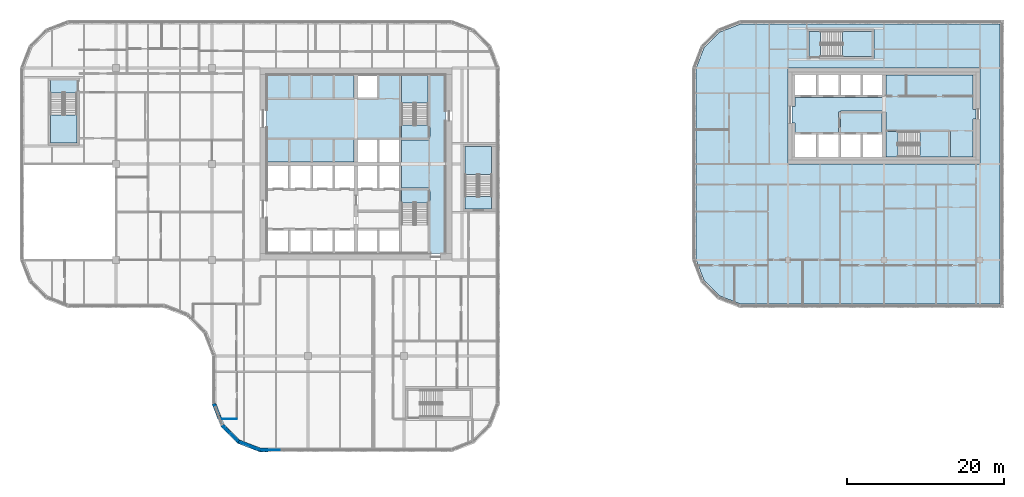
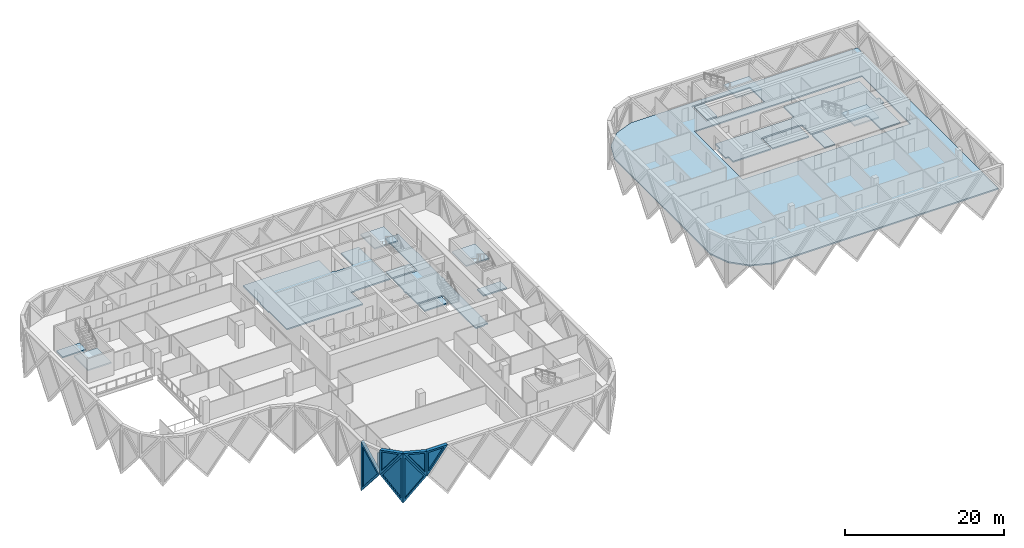
# One storey, part 3 of 24: 16 slabs, 7 walls, 6 plates, 6 openings, 5 elements without a shape of their own.
"""IFC4 building model written with IfcOpenShell, lengths in metres."""

from ifc_helpers import new_model, si_unit, direction, frame, frame_2d, origin, place, context, subcontext, project, spatial, polyline, rectangle, outline, extrude, faceted_brep, source, transform, mapped, material, layer, layer_set, type_object, element, fill, aggregate, save


model = new_model("IFC4")

# Units and contexts
model_context = context("Model", 3, precision=1e-05, world=origin(), true_north=direction((0.0, 1.0)))
body_context = subcontext(model_context, "Body", "Model", "MODEL_VIEW")
ifc_project = project(units=[si_unit("LENGTHUNIT", "METRE"), si_unit("AREAUNIT", "SQUARE_METRE"), si_unit("VOLUMEUNIT", "CUBIC_METRE"), si_unit("PLANEANGLEUNIT", "RADIAN"), si_unit("MASSUNIT", "GRAM", prefix="KILO")], contexts=[model_context])

# Site, building, storey
site_placement = place(None, origin())
site = spatial("IfcSite", under=ifc_project, at=site_placement, CompositionType="ELEMENT")
building_placement = place(site_placement, origin())
building = spatial("IfcBuilding", under=site, at=building_placement, Name="Tessera Gate Towers", CompositionType="ELEMENT")
storey_placement = place(building_placement, frame((0.0, 0.0, 102.800048828125)))
storey = spatial("IfcBuildingStorey", under=building, at=storey_placement, Name="L25", CompositionType="ELEMENT", Elevation=102.800048828125)

# Slabs
ifc_material_1 = material(Name="Concrete C35/45", Category="concrete")
ifc_layer_1 = layer(ifc_material_1, 0.199951171875)
ifc_layer_set_1 = layer_set([ifc_layer_1], Name="COMPOSITE FLOOR 200")
slab_type_1 = type_object("IfcSlabType", Name="COMPOSITE FLOOR 200", PredefinedType="FLOOR", material=ifc_layer_set_1)
slab_1_placement = place(storey_placement, frame((0.0, 0.0, -0.199951171875)))
element("IfcSlab", 1, at=slab_1_placement, inside=storey, type_object=slab_type_1, Name="T2-L25", PredefinedType="FLOOR", context=body_context, shape_type="SweptSolid", body=[
    extrude(outline(polyline([(85.89990234375, 24.4931640625), (86.926025390625, 21.8330078125), (88.93310546875, 19.826171875), (91.593017578125, 18.800048828125), (124.550048828125, 18.800048828125), (124.550048828125, 54.39990234375), (91.593017578125, 54.39990234375), (88.93310546875, 53.373779296875), (86.926025390625, 51.366943359375), (85.89990234375, 48.706787109375), (85.89990234375, 24.4931640625)]), holes=[polyline([(97.60009765625, 36.60009765625), (97.60009765625, 48.800048828125), (122.0, 48.800048828125), (122.0, 36.60009765625), (97.60009765625, 36.60009765625)]), polyline([(100.0, 50.0), (100.0, 53.699951171875), (108.5, 53.699951171875), (108.5, 50.0), (100.0, 50.0)])]), origin(), (0.0, 0.0, 1.0), 0.199951171875),
])
ifc_material_2 = material(Name="Concrete C35/45", Category="concrete")
ifc_layer_2 = layer(ifc_material_2, 0.199951171875)
ifc_layer_set_2 = layer_set([ifc_layer_2], Name="CORE FLOOR SLAB 200")
slab_type_2 = type_object("IfcSlabType", Name="CORE FLOOR SLAB 200", PredefinedType="FLOOR", material=ifc_layer_set_2)
slab_2_placement = place(storey_placement, frame((0.0, 0.0, -0.199951171875)))
element("IfcSlab", 2, at=slab_2_placement, inside=storey, type_object=slab_type_2, Name="L25 core floor slab", PredefinedType="FLOOR", context=body_context, shape_type="SweptSolid", body=[
    extrude(outline(polyline([(31.39990234375, 47.89990234375), (31.39990234375, 43.39990234375), (31.300048828125, 43.39990234375), (31.300048828125, 41.300048828125), (31.39990234375, 41.300048828125), (31.39990234375, 36.85009765625), (42.449951171875, 36.85009765625), (42.449951171875, 39.800048828125), (42.949951171875, 39.800048828125), (42.949951171875, 39.925048828125), (48.22509765625, 39.925048828125), (48.22509765625, 47.89990234375), (45.64990234375, 47.89990234375), (45.64990234375, 44.89990234375), (45.39990234375, 44.89990234375), (45.39990234375, 44.77490234375), (42.949951171875, 44.77490234375), (42.949951171875, 44.89990234375), (42.449951171875, 44.89990234375), (42.449951171875, 47.89990234375), (31.39990234375, 47.89990234375)])), origin(), (0.0, 0.0, 1.0), 0.199951171875),
])
slab_3_placement = place(storey_placement, frame((0.0, 0.0, -0.199951171875)))
element("IfcSlab", 3, at=slab_3_placement, inside=storey, type_object=slab_type_2, Name="L25 core floor slab", PredefinedType="FLOOR", context=body_context, shape_type="SweptSolid", body=[
    extrude(outline(polyline([(52.199951171875, 25.199951171875), (53.39990234375, 25.199951171875), (53.39990234375, 25.300048828125), (54.0, 25.300048828125), (54.0, 36.320068359375), (54.10009765625, 36.320068359375), (54.10009765625, 36.8798828125), (54.0, 36.8798828125), (54.0, 42.10009765625), (54.10009765625, 42.10009765625), (54.10009765625, 43.300048828125), (54.0, 43.300048828125), (54.0, 47.89990234375), (52.125, 47.89990234375), (52.125, 39.925048828125), (52.0, 39.925048828125), (52.0, 39.675048828125), (48.47509765625, 39.675048828125), (48.47509765625, 36.85009765625), (48.35009765625, 36.85009765625), (48.35009765625, 36.35009765625), (48.47509765625, 36.35009765625), (48.47509765625, 33.52490234375), (52.0, 33.52490234375), (52.0, 33.27490234375), (52.125, 33.27490234375), (52.125, 25.300048828125), (52.199951171875, 25.300048828125), (52.199951171875, 25.199951171875)])), origin(), (0.0, 0.0, 1.0), 0.199951171875),
])
slab_4_placement = place(storey_placement, frame((0.0, 0.0, -0.199951171875)))
element("IfcSlab", 4, at=slab_4_placement, inside=storey, type_object=slab_type_2, Name="L25 core floor slab", PredefinedType="FLOOR", context=body_context, shape_type="SweptSolid", body=[
    extrude(outline(polyline([(51.875, 31.675048828125), (51.875, 33.27490234375), (48.47509765625, 33.27490234375), (48.47509765625, 31.675048828125), (51.875, 31.675048828125)])), origin(), (0.0, 0.0, 1.0), 0.199951171875),
])
slab_5_placement = place(storey_placement, frame((0.0, 0.0, -0.199951171875)))
element("IfcSlab", 5, at=slab_5_placement, inside=storey, type_object=slab_type_2, Name="L25 core floor slab", PredefinedType="FLOOR", context=body_context, shape_type="SweptSolid", body=[
    extrude(outline(polyline([(48.47509765625, 41.52490234375), (48.47509765625, 39.925048828125), (51.875, 39.925048828125), (51.875, 41.52490234375), (48.47509765625, 41.52490234375)])), origin(), (0.0, 0.0, 1.0), 0.199951171875),
])
slab_6_placement = place(storey_placement, frame((0.0, 0.0, -0.199951171875)))
element("IfcSlab", 6, at=slab_6_placement, inside=storey, type_object=slab_type_2, Name="L25 ST3 floor landing", PredefinedType="FLOOR", context=body_context, shape_type="SweptSolid", body=[
    extrude(outline(polyline([(3.85009765625, 47.25), (3.85009765625, 45.64990234375), (7.25, 45.64990234375), (7.25, 47.25), (3.85009765625, 47.25)])), origin(), (0.0, 0.0, 1.0), 0.199951171875),
])
slab_7_placement = place(storey_placement, frame((0.0, 0.0, -0.199951171875)))
element("IfcSlab", 7, at=slab_7_placement, inside=storey, type_object=slab_type_2, Name="L25 ST5 floor landing", PredefinedType="FLOOR", context=body_context, shape_type="SweptSolid", body=[
    extrude(outline(polyline([(59.949951171875, 30.85009765625), (59.949951171875, 32.449951171875), (56.550048828125, 32.449951171875), (56.550048828125, 30.85009765625), (59.949951171875, 30.85009765625)])), origin(), (0.0, 0.0, 1.0), 0.199951171875),
])
slab_8_placement = place(storey_placement, frame((0.0, 0.0, -0.199951171875)))
element("IfcSlab", 8, at=slab_8_placement, inside=storey, type_object=slab_type_2, Name="L25 core floor slab", PredefinedType="FLOOR", context=body_context, shape_type="SweptSolid", body=[
    extrude(outline(polyline([(109.550048828125, 45.199951171875), (109.550048828125, 45.074951171875), (98.5, 45.074951171875), (98.5, 43.89990234375), (98.10009765625, 43.89990234375), (98.10009765625, 41.800048828125), (98.5, 41.800048828125), (98.5, 40.625), (104.02490234375, 40.625), (104.02490234375, 43.199951171875), (104.27490234375, 43.199951171875), (104.27490234375, 43.324951171875), (109.550048828125, 43.324951171875), (109.550048828125, 43.199951171875), (110.050048828125, 43.199951171875), (110.050048828125, 40.949951171875), (118.10009765625, 40.949951171875), (118.10009765625, 40.699951171875), (118.22509765625, 40.699951171875), (118.22509765625, 37.5), (121.10009765625, 37.5), (121.10009765625, 42.35009765625), (121.5, 42.35009765625), (121.5, 43.550048828125), (121.10009765625, 43.550048828125), (121.10009765625, 47.89990234375), (110.050048828125, 47.89990234375), (110.050048828125, 45.199951171875), (109.550048828125, 45.199951171875)])), origin(), (0.0, 0.0, 1.0), 0.199951171875),
])
slab_9_placement = place(storey_placement, frame((0.0, 0.0, -0.199951171875)))
element("IfcSlab", 9, at=slab_9_placement, inside=storey, type_object=slab_type_2, Name="L25 core floor slab", PredefinedType="FLOOR", context=body_context, shape_type="SweptSolid", body=[
    extrude(outline(polyline([(109.550048828125, 43.074951171875), (104.27490234375, 43.074951171875), (104.27490234375, 40.625), (109.550048828125, 40.625), (109.550048828125, 43.074951171875)])), origin(), (0.0, 0.0, 1.0), 0.199951171875),
])
slab_10_placement = place(storey_placement, frame((0.0, 0.0, -0.199951171875)))
element("IfcSlab", 10, at=slab_10_placement, inside=storey, type_object=slab_type_2, Name="L25 core floor slab", PredefinedType="FLOOR", context=body_context, shape_type="SweptSolid", body=[
    extrude(outline(polyline([(111.550048828125, 37.5), (111.550048828125, 40.699951171875), (110.050048828125, 40.699951171875), (110.050048828125, 37.5), (111.550048828125, 37.5)])), origin(), (0.0, 0.0, 1.0), 0.199951171875),
])
slab_11_placement = place(storey_placement, frame((0.0, 0.0, -0.199951171875)))
element("IfcSlab", 11, at=slab_11_placement, inside=storey, type_object=slab_type_2, Name="L25 ST7 floor landing", PredefinedType="FLOOR", context=body_context, shape_type="SweptSolid", body=[
    extrude(outline(polyline([(100.25, 50.25), (101.75, 50.25), (101.75, 53.449951171875), (100.25, 53.449951171875), (100.25, 50.25)])), origin(), (0.0, 0.0, 1.0), 0.199951171875),
])

# Stair, slab
ifc_material_3 = material(Name="Concrete C40/50", Category="concrete")
stair_type_1 = type_object("IfcStairType", Name="EXIT STAIR ST2 1600", PredefinedType="HALF_TURN_STAIR", material=ifc_material_3)
stair_1_placement = place(storey_placement, origin())
stair_1 = element("IfcStair", 12, at=stair_1_placement, inside=storey, type_object=stair_type_1, Name="L25 Protected Exit Stair ST2", PredefinedType="HALF_TURN_STAIR")
ifc_material_4 = material(Name="Concrete C40/50", Category="concrete")
ifc_layer_3 = layer(ifc_material_4, 0.199951171875)
ifc_layer_set_3 = layer_set([ifc_layer_3], Name="EXIT STAIR LANDING 200")
slab_type_3 = type_object("IfcSlabType", Name="EXIT STAIR LANDING 200", PredefinedType="LANDING", material=ifc_layer_set_3)
slab_12_placement = place(storey_placement, frame((0.0, 0.0, 1.699951171875)))
slab_12 = element("IfcSlab", 13, at=slab_12_placement, type_object=slab_type_3, Name="ST2 landing 1", PredefinedType="LANDING", context=body_context, shape_type="SweptSolid", body=[
    extrude(outline(polyline([(51.875, 44.324951171875), (51.875, 47.89990234375), (48.47509765625, 47.89990234375), (48.47509765625, 44.324951171875), (51.875, 44.324951171875)])), origin(), (0.0, 0.0, 1.0), 0.199951171875),
])
aggregate(stair_1, [slab_12])

ifc_material_5 = material(Name="Concrete C40/50", Category="concrete")
stair_type_2 = type_object("IfcStairType", Name="EXIT STAIR ST3 1600", PredefinedType="HALF_TURN_STAIR", material=ifc_material_5)
stair_2_placement = place(storey_placement, origin())
stair_2 = element("IfcStair", 14, at=stair_2_placement, inside=storey, type_object=stair_type_2, Name="L25 West Exit Stair ST3", PredefinedType="HALF_TURN_STAIR")
slab_13_placement = place(storey_placement, frame((0.0, 0.0, 1.699951171875)))
slab_13 = element("IfcSlab", 15, at=slab_13_placement, type_object=slab_type_3, Name="ST3 landing 1", PredefinedType="LANDING", context=body_context, shape_type="SweptSolid", body=[
    extrude(outline(polyline([(3.85009765625, 42.85009765625), (3.85009765625, 39.25), (7.25, 39.25), (7.25, 42.85009765625), (3.85009765625, 42.85009765625)])), origin(), (0.0, 0.0, 1.0), 0.199951171875),
])
aggregate(stair_2, [slab_13])

ifc_material_6 = material(Name="Concrete C40/50", Category="concrete")
stair_type_3 = type_object("IfcStairType", Name="EXIT STAIR ST5 1600", PredefinedType="HALF_TURN_STAIR", material=ifc_material_6)
stair_3_placement = place(storey_placement, origin())
stair_3 = element("IfcStair", 16, at=stair_3_placement, inside=storey, type_object=stair_type_3, Name="L25 East Exit Stair ST5", PredefinedType="HALF_TURN_STAIR")
slab_14_placement = place(storey_placement, frame((0.0, 0.0, 1.699951171875)))
slab_14 = element("IfcSlab", 17, at=slab_14_placement, type_object=slab_type_3, Name="ST5 landing 1", PredefinedType="LANDING", context=body_context, shape_type="SweptSolid", body=[
    extrude(outline(polyline([(59.949951171875, 35.25), (59.949951171875, 38.85009765625), (56.550048828125, 38.85009765625), (56.550048828125, 35.25), (59.949951171875, 35.25)])), origin(), (0.0, 0.0, 1.0), 0.199951171875),
])
aggregate(stair_3, [slab_14])

ifc_material_7 = material(Name="Concrete C40/50", Category="concrete")
stair_type_4 = type_object("IfcStairType", Name="EXIT STAIR ST6 1500", PredefinedType="HALF_TURN_STAIR", material=ifc_material_7)
stair_4_placement = place(storey_placement, origin())
stair_4 = element("IfcStair", 18, at=stair_4_placement, inside=storey, type_object=stair_type_4, Name="L25 Protected Exit Stair ST6", PredefinedType="HALF_TURN_STAIR")
slab_15_placement = place(storey_placement, frame((0.0, 0.0, 1.699951171875)))
slab_15 = element("IfcSlab", 19, at=slab_15_placement, type_object=slab_type_3, Name="ST6 landing 1", PredefinedType="LANDING", context=body_context, shape_type="SweptSolid", body=[
    extrude(outline(polyline([(114.35009765625, 37.5), (117.97509765625, 37.5), (117.97509765625, 40.699951171875), (114.35009765625, 40.699951171875), (114.35009765625, 37.5)])), origin(), (0.0, 0.0, 1.0), 0.199951171875),
])
aggregate(stair_4, [slab_15])

ifc_material_8 = material(Name="Concrete C40/50", Category="concrete")
stair_type_5 = type_object("IfcStairType", Name="EXIT STAIR ST7 1500", PredefinedType="HALF_TURN_STAIR", material=ifc_material_8)
stair_5_placement = place(storey_placement, origin())
stair_5 = element("IfcStair", 20, at=stair_5_placement, inside=storey, type_object=stair_type_5, Name="L25 North Exit Stair ST7", PredefinedType="HALF_TURN_STAIR")
slab_16_placement = place(storey_placement, frame((0.0, 0.0, 1.699951171875)))
slab_16 = element("IfcSlab", 21, at=slab_16_placement, type_object=slab_type_3, Name="ST7 landing 1", PredefinedType="LANDING", context=body_context, shape_type="SweptSolid", body=[
    extrude(outline(polyline([(104.550048828125, 50.25), (108.25, 50.25), (108.25, 53.449951171875), (104.550048828125, 53.449951171875), (104.550048828125, 50.25)])), origin(), (0.0, 0.0, 1.0), 0.199951171875),
])
aggregate(stair_5, [slab_16])

# Wall
ifc_material_9 = material(Name="Glass", Category="glass")
ifc_layer_4 = layer(ifc_material_9, 0.10009765625)
ifc_layer_set_4 = layer_set([ifc_layer_4], Name="GLAZED PARTITION 100")
wall_type_1 = type_object("IfcWallType", Name="GLAZED PARTITION 100", PredefinedType="PARTITIONING", material=ifc_layer_set_4)
wall_1_placement = place(storey_placement, frame((25.668701171875, 4.199951171875, 0.0), z_axis=(0.0, 0.0, 1.0), x_axis=(1.0, 0.0, 0.0)))
element("IfcWall", 22, at=wall_1_placement, inside=storey, type_object=wall_type_1, Name="T1-L25-PW-003", PredefinedType="PARTITIONING", context=body_context, shape_type="SweptSolid", body=[
    extrude(rectangle(XDim=1.855224609375, YDim=0.10009765625, at=frame_2d((0.927734375, 0.0))), origin(), (0.0, 0.0, 1.0), 2.71484375),
])

# Wall, opening, plate
ifc_material_10 = material(Name="Precast concrete C60/75 white", Category="concrete")
ifc_layer_5 = layer(ifc_material_10, 0.5)
ifc_layer_set_5 = layer_set([ifc_layer_5], Name="TS3 corner tessera")
wall_type_2 = type_object("IfcWallType", Name="TS3 corner tessera", PredefinedType="SOLIDWALL", material=ifc_layer_set_5)
shared_shape_1 = source(origin(), body_context, "Body", "Brep", [
    faceted_brep([(0.046630859375, -0.25, 0.0), (2.9970703125, -0.25, 3.800048828125), (0.046630859375, -0.25, 7.60009765625), (0.0, -0.25, 7.541259765625), (0.0, -0.25, 0.058837890625), (0.09326171875, 0.25, 7.5400390625), (2.9443359375, 0.25, 3.8681640625), (2.9443359375, 0.25, 3.73193359375), (0.09326171875, 0.25, 0.06005859375), (2.9970703125, 0.00048828125, 3.800048828125), (0.046630859375, 0.0, 0.0), (0.046630859375, 0.0, 7.60009765625)], [[[0, 1, 2, 3, 4]], [[5, 6, 7, 8]], [[8, 7, 9, 1, 0, 10]], [[6, 5, 11, 2, 1, 9]], [[3, 2, 11]], [[10, 0, 4]], [[8, 10, 4, 3, 11, 5]], [[9, 7, 6]]]),
])
wall_2_placement = place(storey_placement, frame((24.63330078125, 6.18994140625, -3.800048828125), z_axis=(0.0, 0.0, 1.0), x_axis=(0.359901446078, -0.932990326376, 0.0)))
wall_2 = element("IfcWall", 23, at=wall_2_placement, inside=storey, type_object=wall_type_2, Name="Precast corner tessera T1 TS3-0574", PredefinedType="SOLIDWALL", context=body_context, shape_type="MappedRepresentation", body=[
    mapped(shared_shape_1, transform((0.0, 0.0, 0.0), scale=1.0)),
])
shared_shape_2 = source(origin(), body_context, "Body", "SweptSolid", [
    extrude(outline(polyline([(0.24658203125, 0.665283203125), (2.6806640625, 3.800048828125), (0.24658203125, 6.934814453125), (0.24658203125, 0.665283203125)])), frame((0.0, 0.260009765625, 0.0), z_axis=(0.0, -1.0, 0.0), x_axis=(1.0, 0.0, 0.0)), (0.0, 0.0, 1.0), 0.52001953125),
])
opening_1_placement = place(wall_2_placement, origin())
opening_1 = element("IfcOpeningElement", 24, at=opening_1_placement, cuts=wall_2, Name="Opening T1-PL2-0890", PredefinedType="OPENING", context=body_context, shape_type="MappedRepresentation", body=[
    mapped(shared_shape_2, transform((0.0, 0.0, 0.0), scale=1.0)),
])
ifc_material_11 = material(Name="Low-e laminated glass", Category="glass")
ifc_layer_6 = layer(ifc_material_11, 0.06005859375)
ifc_layer_set_6 = layer_set([ifc_layer_6], Name="PL2 rhombic pane")
plate_type_1 = type_object("IfcPlateType", Name="PL2 rhombic pane", PredefinedType="SHEET", material=ifc_layer_set_6)
shared_shape_3 = source(origin(), body_context, "Body", "SweptSolid", [
    extrude(outline(polyline([(0.24658203125, 0.665283203125), (2.6806640625, 3.800048828125), (0.24658203125, 6.934814453125), (0.24658203125, 0.665283203125)])), frame((0.0, 0.030029296875, 0.0), z_axis=(0.0, -1.0, 0.0), x_axis=(1.0, 0.0, 0.0)), (0.0, 0.0, 1.0), 0.06005859375),
])
plate_1_placement = place(opening_1_placement, origin())
plate_1 = element("IfcPlate", 25, at=plate_1_placement, inside=storey, type_object=plate_type_1, Name="Glass pane T1 PL2-0890", PredefinedType="SHEET", context=body_context, shape_type="MappedRepresentation", body=[
    mapped(shared_shape_3, transform((0.0, 0.0, 0.0), scale=1.0)),
])
fill(opening_1, plate_1)

shared_shape_4 = source(origin(), body_context, "Body", "Brep", [
    faceted_brep([(0.052978515625, -0.25, 0.0), (3.00341796875, -0.25, 3.800048828125), (0.052978515625, -0.25, 7.60009765625), (0.0, -0.25, 7.53173828125), (0.0, -0.25, 0.068359375), (0.10595703125, 0.25, 7.531982421875), (2.95703125, 0.25, 3.85986328125), (2.95703125, 0.25, 3.740234375), (0.10595703125, 0.25, 0.068115234375), (3.00341796875, 0.00048828125, 3.800048828125), (0.052978515625, 0.0, 0.0), (0.052978515625, 0.0, 7.60009765625)], [[[0, 1, 2, 3, 4]], [[5, 6, 7, 8]], [[8, 7, 9, 1, 0, 10]], [[6, 5, 11, 2, 1, 9]], [[3, 2, 11]], [[10, 0, 4]], [[8, 10, 4, 3, 11, 5]], [[9, 7, 6]]]),
])
wall_3_placement = place(storey_placement, frame((27.744384765625, 1.3310546875, -3.800048828125), z_axis=(0.0, 0.0, 1.0), x_axis=(0.932970071518, -0.359953949349, 0.0)))
wall_3 = element("IfcWall", 26, at=wall_3_placement, inside=storey, type_object=wall_type_2, Name="Precast corner tessera T1 TS3-0576", PredefinedType="SOLIDWALL", context=body_context, shape_type="MappedRepresentation", body=[
    mapped(shared_shape_4, transform((0.0, 0.0, 0.0), scale=1.0)),
])
shared_shape_5 = source(origin(), body_context, "Body", "SweptSolid", [
    extrude(outline(polyline([(0.2529296875, 0.665283203125), (2.68701171875, 3.800048828125), (0.2529296875, 6.934814453125), (0.2529296875, 0.665283203125)])), frame((0.0, 0.260009765625, 0.0), z_axis=(0.0, -1.0, 0.0), x_axis=(1.0, 0.0, 0.0)), (0.0, 0.0, 1.0), 0.52001953125),
])
opening_2_placement = place(wall_3_placement, origin())
opening_2 = element("IfcOpeningElement", 27, at=opening_2_placement, cuts=wall_3, Name="Opening T1-PL2-0892", PredefinedType="OPENING", context=body_context, shape_type="MappedRepresentation", body=[
    mapped(shared_shape_5, transform((0.0, 0.0, 0.0), scale=1.0)),
])
shared_shape_6 = source(origin(), body_context, "Body", "SweptSolid", [
    extrude(outline(polyline([(0.2529296875, 0.665283203125), (2.68701171875, 3.800048828125), (0.2529296875, 6.934814453125), (0.2529296875, 0.665283203125)])), frame((0.0, 0.030029296875, 0.0), z_axis=(0.0, -1.0, 0.0), x_axis=(1.0, 0.0, 0.0)), (0.0, 0.0, 1.0), 0.06005859375),
])
plate_2_placement = place(opening_2_placement, origin())
plate_2 = element("IfcPlate", 28, at=plate_2_placement, inside=storey, type_object=plate_type_1, Name="Glass pane T1 PL2-0892", PredefinedType="SHEET", context=body_context, shape_type="MappedRepresentation", body=[
    mapped(shared_shape_6, transform((0.0, 0.0, 0.0), scale=1.0)),
])
fill(opening_2, plate_2)

shared_shape_7 = source(origin(), body_context, "Body", "Brep", [
    faceted_brep([(2.944091796875, -0.25, 0.0), (2.9970703125, -0.25, 0.068115234375), (2.9970703125, -0.25, 7.531982421875), (2.944091796875, -0.25, 7.60009765625), (0.0, -0.25, 3.800048828125), (0.052978515625, 0.25, 3.868408203125), (2.89111328125, 0.25, 7.531982421875), (2.89111328125, 0.25, 0.068115234375), (0.052978515625, 0.25, 3.731689453125), (2.944091796875, 0.000244140625, 0.0), (2.944091796875, 0.000244140625, 7.60009765625), (0.0, 0.0, 3.800048828125)], [[[0, 1, 2, 3, 4]], [[5, 6, 7, 8]], [[1, 0, 9]], [[10, 3, 2]], [[6, 5, 11, 4, 3, 10]], [[8, 7, 9, 0, 4, 11]], [[8, 11, 5]], [[1, 9, 7, 6, 10, 2]]]),
])
wall_4_placement = place(storey_placement, frame((25.7119140625, 3.393798828125, -3.800048828125), z_axis=(0.0, 0.0, 1.0), x_axis=(0.707066050402, -0.707147509625, 0.0)))
wall_4 = element("IfcWall", 29, at=wall_4_placement, inside=storey, type_object=wall_type_2, Name="Precast corner tessera T1 TS3-0575", PredefinedType="SOLIDWALL", context=body_context, shape_type="MappedRepresentation", body=[
    mapped(shared_shape_7, transform((0.0, 0.0, 0.0), scale=1.0)),
])
shared_shape_8 = source(origin(), body_context, "Body", "SweptSolid", [
    extrude(outline(polyline([(2.744140625, 6.93359375), (0.316162109375, 3.800048828125), (2.744140625, 0.666259765625), (2.744140625, 6.93359375)])), frame((0.0, 0.260009765625, 0.0), z_axis=(0.0, -1.0, 0.0), x_axis=(1.0, 0.0, 0.0)), (0.0, 0.0, 1.0), 0.52001953125),
])
opening_3_placement = place(wall_4_placement, origin())
opening_3 = element("IfcOpeningElement", 30, at=opening_3_placement, cuts=wall_4, Name="Opening T1-PL2-0891", PredefinedType="OPENING", context=body_context, shape_type="MappedRepresentation", body=[
    mapped(shared_shape_8, transform((0.0, 0.0, 0.0), scale=1.0)),
])
shared_shape_9 = source(origin(), body_context, "Body", "SweptSolid", [
    extrude(outline(polyline([(2.744140625, 6.93359375), (0.316162109375, 3.800048828125), (2.744140625, 0.666259765625), (2.744140625, 6.93359375)])), frame((0.0, 0.030029296875, 0.0), z_axis=(0.0, -1.0, 0.0), x_axis=(1.0, 0.0, 0.0)), (0.0, 0.0, 1.0), 0.06005859375),
])
plate_3_placement = place(opening_3_placement, origin())
plate_3 = element("IfcPlate", 31, at=plate_3_placement, inside=storey, type_object=plate_type_1, Name="Glass pane T1 PL2-0891", PredefinedType="SHEET", context=body_context, shape_type="MappedRepresentation", body=[
    mapped(shared_shape_9, transform((0.0, 0.0, 0.0), scale=1.0)),
])
fill(opening_3, plate_3)

shared_shape_10 = source(origin(), body_context, "Body", "Brep", [
    faceted_brep([(0.046630859375, -0.25, 0.0), (3.050048828125, -0.25, 3.800048828125), (0.0, -0.25, 3.800048828125), (0.0, -0.25, 0.06005859375), (0.09326171875, 0.25, 3.800048828125), (3.050048828125, 0.25, 3.800048828125), (0.09326171875, 0.25, 0.058837890625), (0.046630859375, 0.0, 0.0)], [[[0, 1, 2, 3]], [[4, 5, 6]], [[6, 5, 1, 0, 7]], [[5, 4, 2, 1]], [[7, 0, 3]], [[6, 7, 3, 2, 4]]]),
])
wall_5_placement = place(storey_placement, frame((30.5, 0.25, 0.0), z_axis=(0.0, 0.0, 1.0), x_axis=(1.0, 0.0, 0.0)))
wall_5 = element("IfcWall", 32, at=wall_5_placement, inside=storey, type_object=wall_type_2, Name="Precast corner tessera T1 TS3-0577", PredefinedType="SOLIDWALL", context=body_context, shape_type="MappedRepresentation", body=[
    mapped(shared_shape_10, transform((0.0, 0.0, 0.0), scale=1.0)),
])
shared_shape_11 = source(origin(), body_context, "Body", "SweptSolid", [
    extrude(outline(polyline([(0.24658203125, 0.65625), (2.533935546875, 3.550048828125), (0.24658203125, 3.550048828125), (0.24658203125, 0.65625)])), frame((0.0, 0.260009765625, 0.0), z_axis=(0.0, -1.0, 0.0), x_axis=(1.0, 0.0, 0.0)), (0.0, 0.0, 1.0), 0.52001953125),
])
opening_4_placement = place(wall_5_placement, origin())
opening_4 = element("IfcOpeningElement", 33, at=opening_4_placement, cuts=wall_5, Name="Opening T1-PL1-0235", PredefinedType="OPENING", context=body_context, shape_type="MappedRepresentation", body=[
    mapped(shared_shape_11, transform((0.0, 0.0, 0.0), scale=1.0)),
])
ifc_material_12 = material(Name="Low-e laminated glass", Category="glass")
ifc_layer_7 = layer(ifc_material_12, 0.06005859375)
ifc_layer_set_7 = layer_set([ifc_layer_7], Name="PL1 triangular pane")
plate_type_2 = type_object("IfcPlateType", Name="PL1 triangular pane", PredefinedType="SHEET", material=ifc_layer_set_7)
shared_shape_12 = source(origin(), body_context, "Body", "SweptSolid", [
    extrude(outline(polyline([(0.24658203125, 0.65625), (2.533935546875, 3.550048828125), (0.24658203125, 3.550048828125), (0.24658203125, 0.65625)])), frame((0.0, 0.030029296875, 0.0), z_axis=(0.0, -1.0, 0.0), x_axis=(1.0, 0.0, 0.0)), (0.0, 0.0, 1.0), 0.06005859375),
])
plate_4_placement = place(opening_4_placement, origin())
plate_4 = element("IfcPlate", 34, at=plate_4_placement, inside=storey, type_object=plate_type_2, Name="Glass pane T1 PL1-0235", PredefinedType="SHEET", context=body_context, shape_type="MappedRepresentation", body=[
    mapped(shared_shape_12, transform((0.0, 0.0, 0.0), scale=1.0)),
])
fill(opening_4, plate_4)

shared_shape_13 = source(origin(), body_context, "Body", "Brep", [
    faceted_brep([(2.950439453125, -0.25, 0.0), (2.9970703125, -0.25, 0.05908203125), (2.9970703125, -0.25, 3.800048828125), (0.0, -0.25, 3.800048828125), (0.052978515625, 0.25, 3.800048828125), (2.904052734375, 0.25, 3.800048828125), (2.904052734375, 0.25, 0.059814453125), (0.052978515625, 0.25, 3.73193359375), (2.950439453125, 0.00048828125, 0.0), (0.0, 0.0, 3.800048828125)], [[[0, 1, 2, 3]], [[4, 5, 6, 7]], [[1, 0, 8]], [[5, 4, 9, 3, 2]], [[7, 6, 8, 0, 3, 9]], [[7, 9, 4]], [[1, 8, 6, 5, 2]]]),
])
wall_6_placement = place(storey_placement, frame((27.793701171875, 1.31201171875, 0.0), z_axis=(0.0, 0.0, 1.0), x_axis=(0.932973525033, -0.359944998003, 0.0)))
wall_6 = element("IfcWall", 35, at=wall_6_placement, inside=storey, type_object=wall_type_2, Name="Precast corner tessera T1 TS3-0578", PredefinedType="SOLIDWALL", context=body_context, shape_type="MappedRepresentation", body=[
    mapped(shared_shape_13, transform((0.0, 0.0, 0.0), scale=1.0)),
])
shared_shape_14 = source(origin(), body_context, "Body", "SweptSolid", [
    extrude(outline(polyline([(2.75048828125, 3.550048828125), (0.5107421875, 3.550048828125), (2.75048828125, 0.665283203125), (2.75048828125, 3.550048828125)])), frame((0.0, 0.260009765625, 0.0), z_axis=(0.0, -1.0, 0.0), x_axis=(1.0, 0.0, 0.0)), (0.0, 0.0, 1.0), 0.52001953125),
])
opening_5_placement = place(wall_6_placement, origin())
opening_5 = element("IfcOpeningElement", 36, at=opening_5_placement, cuts=wall_6, Name="Opening T1-PL1-0236", PredefinedType="OPENING", context=body_context, shape_type="MappedRepresentation", body=[
    mapped(shared_shape_14, transform((0.0, 0.0, 0.0), scale=1.0)),
])
shared_shape_15 = source(origin(), body_context, "Body", "SweptSolid", [
    extrude(outline(polyline([(2.75048828125, 3.550048828125), (0.5107421875, 3.550048828125), (2.75048828125, 0.665283203125), (2.75048828125, 3.550048828125)])), frame((0.0, 0.030029296875, 0.0), z_axis=(0.0, -1.0, 0.0), x_axis=(1.0, 0.0, 0.0)), (0.0, 0.0, 1.0), 0.06005859375),
])
plate_5_placement = place(opening_5_placement, origin())
plate_5 = element("IfcPlate", 37, at=plate_5_placement, inside=storey, type_object=plate_type_2, Name="Glass pane T1 PL1-0236", PredefinedType="SHEET", context=body_context, shape_type="MappedRepresentation", body=[
    mapped(shared_shape_15, transform((0.0, 0.0, 0.0), scale=1.0)),
])
fill(opening_5, plate_5)

shared_shape_16 = source(origin(), body_context, "Body", "Brep", [
    faceted_brep([(0.052978515625, -0.25, 0.0), (2.9970703125, -0.25, 3.800048828125), (0.0, -0.25, 3.800048828125), (0.0, -0.25, 0.068115234375), (0.10595703125, 0.25, 3.800048828125), (2.944091796875, 0.25, 3.800048828125), (2.944091796875, 0.25, 3.73193359375), (0.10595703125, 0.25, 0.068359375), (2.9970703125, 0.000244140625, 3.800048828125), (0.052978515625, 0.0, 0.0)], [[[0, 1, 2, 3]], [[4, 5, 6, 7]], [[7, 6, 8, 1, 0, 9]], [[5, 4, 2, 1, 8]], [[9, 0, 3]], [[7, 9, 3, 2, 4]], [[6, 5, 8]]]),
])
wall_7_placement = place(storey_placement, frame((25.674560546875, 3.43115234375, 0.0), z_axis=(0.0, 0.0, 1.0), x_axis=(0.707106781187, -0.707106781187, 0.0)))
wall_7 = element("IfcWall", 38, at=wall_7_placement, inside=storey, type_object=wall_type_2, Name="Precast corner tessera T1 TS3-0600", PredefinedType="SOLIDWALL", context=body_context, shape_type="MappedRepresentation", body=[
    mapped(shared_shape_16, transform((0.0, 0.0, 0.0), scale=1.0)),
])
shared_shape_17 = source(origin(), body_context, "Body", "SweptSolid", [
    extrude(outline(polyline([(0.2529296875, 0.666259765625), (2.487060546875, 3.550048828125), (0.2529296875, 3.550048828125), (0.2529296875, 0.666259765625)])), frame((0.0, 0.260009765625, 0.0), z_axis=(0.0, -1.0, 0.0), x_axis=(1.0, 0.0, 0.0)), (0.0, 0.0, 1.0), 0.52001953125),
])
opening_6_placement = place(wall_7_placement, origin())
opening_6 = element("IfcOpeningElement", 39, at=opening_6_placement, cuts=wall_7, Name="Opening T1-PL1-0281", PredefinedType="OPENING", context=body_context, shape_type="MappedRepresentation", body=[
    mapped(shared_shape_17, transform((0.0, 0.0, 0.0), scale=1.0)),
])
shared_shape_18 = source(origin(), body_context, "Body", "SweptSolid", [
    extrude(outline(polyline([(0.2529296875, 0.666259765625), (2.487060546875, 3.550048828125), (0.2529296875, 3.550048828125), (0.2529296875, 0.666259765625)])), frame((0.0, 0.030029296875, 0.0), z_axis=(0.0, -1.0, 0.0), x_axis=(1.0, 0.0, 0.0)), (0.0, 0.0, 1.0), 0.06005859375),
])
plate_6_placement = place(opening_6_placement, origin())
plate_6 = element("IfcPlate", 40, at=plate_6_placement, inside=storey, type_object=plate_type_2, Name="Glass pane T1 PL1-0281", PredefinedType="SHEET", context=body_context, shape_type="MappedRepresentation", body=[
    mapped(shared_shape_18, transform((0.0, 0.0, 0.0), scale=1.0)),
])
fill(opening_6, plate_6)

save(model, "model.ifc")
